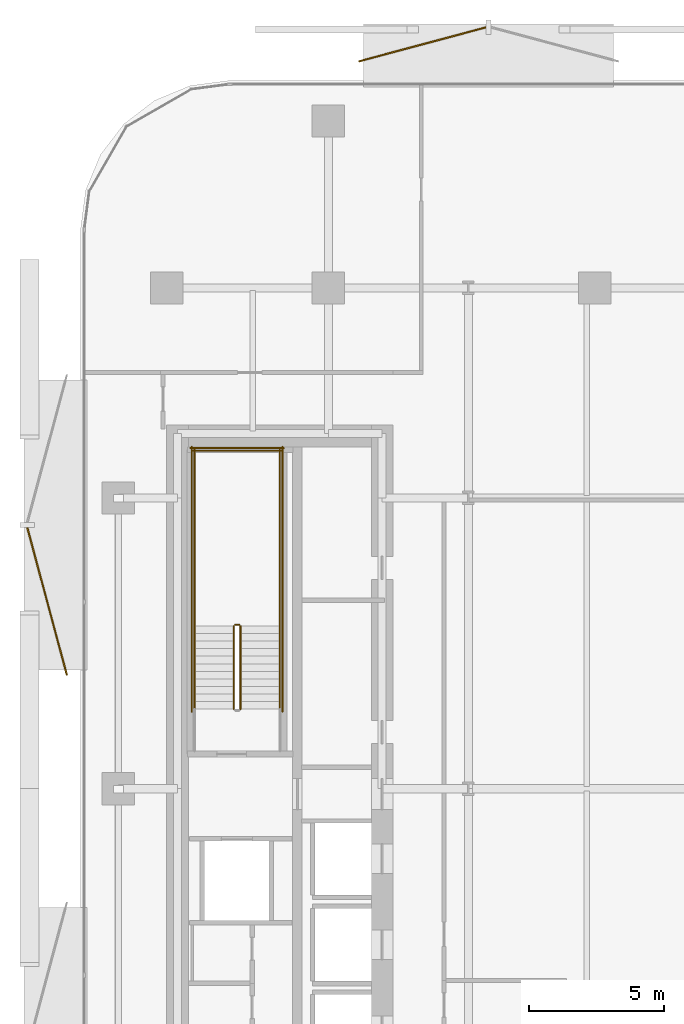
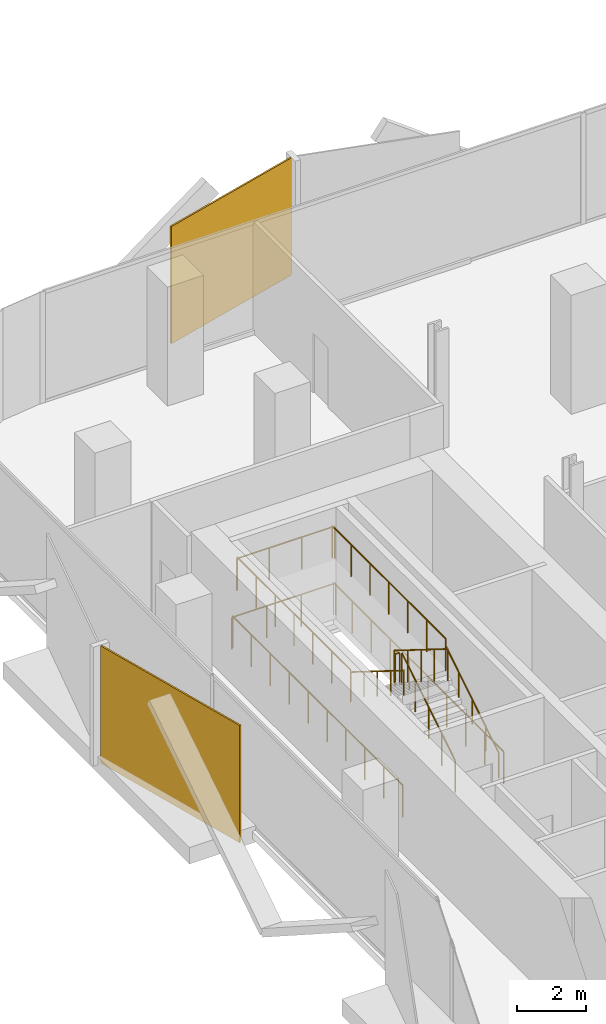
# One storey, part 14 of 15: 11 railings, 2 coverings.
"""IFC4 building model written with IfcOpenShell, lengths in metres."""

from ifc_helpers import new_model, si_unit, direction, frame, origin, origin_2d, place, context, subcontext, project, spatial, rectangle, circle, extrude, material, layer, layer_set, type_object, element, save


model = new_model("IFC4")

# Units and contexts
model_context = context("Model", 3, precision=1e-05, world=origin(), true_north=direction((0.0, 1.0)))
body_context = subcontext(model_context, "Body", "Model", "MODEL_VIEW")
ifc_project = project(units=[si_unit("LENGTHUNIT", "METRE"), si_unit("AREAUNIT", "SQUARE_METRE"), si_unit("VOLUMEUNIT", "CUBIC_METRE"), si_unit("PLANEANGLEUNIT", "RADIAN"), si_unit("MASSUNIT", "GRAM", prefix="KILO")], contexts=[model_context])

# Site, building, storey
site_placement = place(None, origin())
site = spatial("IfcSite", under=ifc_project, at=site_placement, CompositionType="ELEMENT")
building_placement = place(site_placement, origin())
building = spatial("IfcBuilding", under=site, at=building_placement, Name="Khairoan Windgate Tower", CompositionType="ELEMENT")
storey_placement = place(building_placement, frame((0.0, 0.0, 143.60009765625)))
storey = spatial("IfcBuildingStorey", under=building, at=storey_placement, Name="L33", CompositionType="ELEMENT", Elevation=143.60009765625)

# Coverings
ifc_material_1 = material(Name="Anodised Bronze Aluminium 6063-T6", Category="aluminium")
ifc_layer = layer(ifc_material_1, 0.054931640625, Name="Anodised Bronze Aluminium 6063-T6")
ifc_layer_set = layer_set([ifc_layer], Name="Anodised Bronze Aluminium 6063-T6")
covering_type = type_object("IfcCoveringType", Name="Perforated Bronze-Ceramic Folded Solar Screen Cladding BSC-1", PredefinedType="CLADDING", material=ifc_layer_set)
covering_1_placement = place(storey_placement, frame((-24.8447265625, 6.961669921875, -0.10009765625), z_axis=(0.0, 0.0, 1.0), x_axis=(-0.258819045103, 0.965925826289, 0.0)))
element("IfcCovering", 1, at=covering_1_placement, inside=storey, type_object=covering_type, Name="L33 Folded Bronze Solar Screen Facet 212L", PredefinedType="CLADDING", context=body_context, shape_type="SweptSolid", body=[
    extrude(rectangle(XDim=5.680908203125, YDim=0.054931640625, at=origin_2d()), origin(), (0.0, 0.0, 1.0), 4.139892578125),
])
covering_2_placement = place(storey_placement, frame((-10.90087890625, 27.646240234375, -0.10009765625), z_axis=(0.0, 0.0, 1.0), x_axis=(0.965925826289, 0.258819045103, 0.0)))
element("IfcCovering", 2, at=covering_2_placement, inside=storey, type_object=covering_type, Name="L33 Folded Bronze Solar Screen Facet 213L", PredefinedType="CLADDING", context=body_context, shape_type="SweptSolid", body=[
    extrude(rectangle(XDim=4.89794921875, YDim=0.054931640625, at=origin_2d()), origin(), (0.0, 0.0, 1.0), 4.139892578125),
])

# Railings
ifc_material_2 = material(Name="Anodised Bronze Aluminium 6063-T6", Category="aluminium")
railing_type_1 = type_object("IfcRailingType", Name="Stair Wall Handrail SHR-900", PredefinedType="HANDRAIL", material=ifc_material_2)
railing_1_placement = place(storey_placement, frame((-16.199951171875, 2.9599609375, 0.1748046875)))
element("IfcRailing", 3, at=railing_1_placement, inside=storey, type_object=railing_type_1, Name="L33 ST2 stair handrail 1", PredefinedType="HANDRAIL", context=body_context, shape_type="SweptSolid", body=[
    extrude(circle(Radius=0.02392578125, at=origin_2d()), frame((0.0, 0.0, 0.8759765625), z_axis=(0.0, 0.847998304005, 0.529998940003), x_axis=(-1.0, 0.0, 0.0)), (0.0, 0.0, 1.0), 3.632080078125),
    extrude(circle(Radius=0.02099609375, at=origin_2d()), origin(), (0.0, 0.0, 1.0), 0.851806640625),
    extrude(circle(Radius=0.02099609375, at=origin_2d()), frame((0.0, 0.77001953125, 0.481201171875)), (0.0, 0.0, 1.0), 0.851806640625),
    extrude(circle(Radius=0.02099609375, at=origin_2d()), frame((0.0, 1.5400390625, 0.96240234375)), (0.0, 0.0, 1.0), 0.851806640625),
    extrude(circle(Radius=0.02099609375, at=origin_2d()), frame((0.0, 2.31005859375, 1.44384765625)), (0.0, 0.0, 1.0), 0.851806640625),
    extrude(circle(Radius=0.02099609375, at=origin_2d()), frame((0.0, 3.080078125, 1.925048828125)), (0.0, 0.0, 1.0), 0.851806640625),
])
railing_2_placement = place(storey_placement, frame((-19.3701171875, 6.0400390625, 2.27490234375)))
element("IfcRailing", 4, at=railing_2_placement, inside=storey, type_object=railing_type_1, Name="L33 ST2 stair handrail 2", PredefinedType="HANDRAIL", context=body_context, shape_type="SweptSolid", body=[
    extrude(circle(Radius=0.02392578125, at=origin_2d()), frame((0.0, 0.0, 0.8759765625), z_axis=(0.0, -0.847998304005, 0.529998940003), x_axis=(1.0, 0.0, 0.0)), (0.0, 0.0, 1.0), 3.632080078125),
    extrude(circle(Radius=0.02099609375, at=origin_2d()), origin(), (0.0, 0.0, 1.0), 0.851806640625),
    extrude(circle(Radius=0.02099609375, at=origin_2d()), frame((0.0, -0.77001953125, 0.481201171875)), (0.0, 0.0, 1.0), 0.851806640625),
    extrude(circle(Radius=0.02099609375, at=origin_2d()), frame((0.0, -1.5400390625, 0.96240234375)), (0.0, 0.0, 1.0), 0.851806640625),
    extrude(circle(Radius=0.02099609375, at=origin_2d()), frame((0.0, -2.31005859375, 1.44384765625)), (0.0, 0.0, 1.0), 0.851806640625),
    extrude(circle(Radius=0.02099609375, at=origin_2d()), frame((0.0, -3.080078125, 1.925048828125)), (0.0, 0.0, 1.0), 0.851806640625),
])
ifc_material_3 = material(Name="Steel S355", Category="steel")
railing_type_2 = type_object("IfcRailingType", Name="Stairwell Safety Guardrail SGR-1150", PredefinedType="GUARDRAIL", material=ifc_material_3)
railing_3_placement = place(storey_placement, frame((-17.659912109375, 2.9599609375, 0.1748046875)))
element("IfcRailing", 5, at=railing_3_placement, inside=storey, type_object=railing_type_2, Name="L33 ST2 stair guard 1", PredefinedType="GUARDRAIL", context=body_context, shape_type="SweptSolid", body=[
    extrude(circle(Radius=0.02392578125, at=origin_2d()), frame((0.0, 0.0, 1.1259765625), z_axis=(0.0, 0.847998304005, 0.529998940003), x_axis=(-1.0, 0.0, 0.0)), (0.0, 0.0, 1.0), 3.632080078125),
    extrude(circle(Radius=0.02099609375, at=origin_2d()), origin(), (0.0, 0.0, 1.0), 1.101806640625),
    extrude(circle(Radius=0.02099609375, at=origin_2d()), frame((0.0, 0.77001953125, 0.481201171875)), (0.0, 0.0, 1.0), 1.101806640625),
    extrude(circle(Radius=0.02099609375, at=origin_2d()), frame((0.0, 1.5400390625, 0.96240234375)), (0.0, 0.0, 1.0), 1.101806640625),
    extrude(circle(Radius=0.02099609375, at=origin_2d()), frame((0.0, 2.31005859375, 1.44384765625)), (0.0, 0.0, 1.0), 1.101806640625),
    extrude(circle(Radius=0.02099609375, at=origin_2d()), frame((0.0, 3.080078125, 1.925048828125)), (0.0, 0.0, 1.0), 1.101806640625),
])
railing_4_placement = place(storey_placement, frame((-17.7099609375, 6.090087890625, 2.099853515625)))
element("IfcRailing", 6, at=railing_4_placement, inside=storey, type_object=railing_type_2, Name="L33 ST2 stair guard 2", PredefinedType="GUARDRAIL", context=body_context, shape_type="SweptSolid", body=[
    extrude(circle(Radius=0.02392578125, at=origin_2d()), frame((0.0, 0.0, 1.1259765625), z_axis=(-1.0, 0.0, 0.0), x_axis=(0.0, -1.0, 0.0)), (0.0, 0.0, 1.0), 0.150146484375),
    extrude(circle(Radius=0.02099609375, at=origin_2d()), origin(), (0.0, 0.0, 1.0), 1.101806640625),
    extrude(circle(Radius=0.02099609375, at=origin_2d()), frame((-0.150146484375, 0.0, 0.0)), (0.0, 0.0, 1.0), 1.101806640625),
])
for number, where, name in (
    (7, (-16.199951171875, 6.0400390625, 2.099853515625), "L33 ST2 stair guard 3"),
    (8, (-19.3701171875, 6.0400390625, 2.099853515625), "L33 ST2 stair guard 4"),
):
    element("IfcRailing", number, at=place(storey_placement, frame(where)), inside=storey, type_object=railing_type_2, Name=name, PredefinedType="GUARDRAIL", context=body_context, shape_type="SweptSolid", body=[
        extrude(circle(Radius=0.02392578125, at=origin_2d()), frame((0.0, 0.0, 1.1259765625), z_axis=(0.0, 1.0, 0.0), x_axis=(-1.0, 0.0, 0.0)), (0.0, 0.0, 1.0), 6.56005859375),
        extrude(circle(Radius=0.02099609375, at=origin_2d()), origin(), (0.0, 0.0, 1.0), 1.101806640625),
        extrude(circle(Radius=0.02099609375, at=origin_2d()), frame((0.0, 1.09326171875, 0.0)), (0.0, 0.0, 1.0), 1.101806640625),
        extrude(circle(Radius=0.02099609375, at=origin_2d()), frame((0.0, 2.186767578125, 0.0)), (0.0, 0.0, 1.0), 1.101806640625),
        extrude(circle(Radius=0.02099609375, at=origin_2d()), frame((0.0, 3.280029296875, 0.0)), (0.0, 0.0, 1.0), 1.101806640625),
        extrude(circle(Radius=0.02099609375, at=origin_2d()), frame((0.0, 4.373291015625, 0.0)), (0.0, 0.0, 1.0), 1.101806640625),
        extrude(circle(Radius=0.02099609375, at=origin_2d()), frame((0.0, 5.466796875, 0.0)), (0.0, 0.0, 1.0), 1.101806640625),
        extrude(circle(Radius=0.02099609375, at=origin_2d()), frame((0.0, 6.56005859375, 0.0)), (0.0, 0.0, 1.0), 1.101806640625),
    ])
railing_5_placement = place(storey_placement, frame((-16.14990234375, 12.550048828125, 2.099853515625)))
element("IfcRailing", 9, at=railing_5_placement, inside=storey, type_object=railing_type_2, Name="L33 ST2 stair guard 5", PredefinedType="GUARDRAIL", context=body_context, shape_type="SweptSolid", body=[
    extrude(circle(Radius=0.02392578125, at=origin_2d()), frame((0.0, 0.0, 1.1259765625), z_axis=(-1.0, 0.0, 0.0), x_axis=(0.0, -1.0, 0.0)), (0.0, 0.0, 1.0), 3.27001953125),
    extrude(circle(Radius=0.02099609375, at=origin_2d()), origin(), (0.0, 0.0, 1.0), 1.101806640625),
    extrude(circle(Radius=0.02099609375, at=origin_2d()), frame((-1.090087890625, 0.0, 0.0)), (0.0, 0.0, 1.0), 1.101806640625),
    extrude(circle(Radius=0.02099609375, at=origin_2d()), frame((-2.179931640625, 0.0, 0.0)), (0.0, 0.0, 1.0), 1.101806640625),
    extrude(circle(Radius=0.02099609375, at=origin_2d()), frame((-3.27001953125, 0.0, 0.0)), (0.0, 0.0, 1.0), 1.101806640625),
])
railing_6_placement = place(storey_placement, frame((-17.909912109375, 6.0400390625, 2.27490234375)))
element("IfcRailing", 10, at=railing_6_placement, inside=storey, type_object=railing_type_2, Name="L33 ST2 stair guard 6", PredefinedType="GUARDRAIL", context=body_context, shape_type="SweptSolid", body=[
    extrude(circle(Radius=0.02392578125, at=origin_2d()), frame((0.0, 0.0, 1.1259765625), z_axis=(0.0, -0.847998304005, 0.529998940003), x_axis=(1.0, 0.0, 0.0)), (0.0, 0.0, 1.0), 3.632080078125),
    extrude(circle(Radius=0.02099609375, at=origin_2d()), origin(), (0.0, 0.0, 1.0), 1.101806640625),
    extrude(circle(Radius=0.02099609375, at=origin_2d()), frame((0.0, -0.77001953125, 0.481201171875)), (0.0, 0.0, 1.0), 1.101806640625),
    extrude(circle(Radius=0.02099609375, at=origin_2d()), frame((0.0, -1.5400390625, 0.96240234375)), (0.0, 0.0, 1.0), 1.101806640625),
    extrude(circle(Radius=0.02099609375, at=origin_2d()), frame((0.0, -2.31005859375, 1.44384765625)), (0.0, 0.0, 1.0), 1.101806640625),
    extrude(circle(Radius=0.02099609375, at=origin_2d()), frame((0.0, -3.080078125, 1.925048828125)), (0.0, 0.0, 1.0), 1.101806640625),
])
for number, where, name in (
    (11, (-16.10009765625, 2.860107421875, 0.0), "L33 ST2 stair guard 10"),
    (12, (-19.469970703125, 2.860107421875, 0.0), "L33 ST2 stair guard 11"),
):
    element("IfcRailing", number, at=place(storey_placement, frame(where)), inside=storey, type_object=railing_type_2, Name=name, PredefinedType="GUARDRAIL", context=body_context, shape_type="SweptSolid", body=[
        extrude(circle(Radius=0.02392578125, at=origin_2d()), frame((0.0, 0.0, 1.1259765625), z_axis=(0.0, 1.0, 0.0), x_axis=(-1.0, 0.0, 0.0)), (0.0, 0.0, 1.0), 9.83984375),
        extrude(circle(Radius=0.02099609375, at=origin_2d()), origin(), (0.0, 0.0, 1.0), 1.101806640625),
        extrude(circle(Radius=0.02099609375, at=origin_2d()), frame((0.0, 1.09326171875, 0.0)), (0.0, 0.0, 1.0), 1.101806640625),
        extrude(circle(Radius=0.02099609375, at=origin_2d()), frame((0.0, 2.1865234375, 0.0)), (0.0, 0.0, 1.0), 1.101806640625),
        extrude(circle(Radius=0.02099609375, at=origin_2d()), frame((0.0, 3.280029296875, 0.0)), (0.0, 0.0, 1.0), 1.101806640625),
        extrude(circle(Radius=0.02099609375, at=origin_2d()), frame((0.0, 4.373291015625, 0.0)), (0.0, 0.0, 1.0), 1.101806640625),
        extrude(circle(Radius=0.02099609375, at=origin_2d()), frame((0.0, 5.466552734375, 0.0)), (0.0, 0.0, 1.0), 1.101806640625),
        extrude(circle(Radius=0.02099609375, at=origin_2d()), frame((0.0, 6.559814453125, 0.0)), (0.0, 0.0, 1.0), 1.101806640625),
        extrude(circle(Radius=0.02099609375, at=origin_2d()), frame((0.0, 7.6533203125, 0.0)), (0.0, 0.0, 1.0), 1.101806640625),
        extrude(circle(Radius=0.02099609375, at=origin_2d()), frame((0.0, 8.74658203125, 0.0)), (0.0, 0.0, 1.0), 1.101806640625),
        extrude(circle(Radius=0.02099609375, at=origin_2d()), frame((0.0, 9.83984375, 0.0)), (0.0, 0.0, 1.0), 1.101806640625),
    ])
railing_7_placement = place(storey_placement, frame((-16.050048828125, 12.64990234375, 0.0)))
element("IfcRailing", 13, at=railing_7_placement, inside=storey, type_object=railing_type_2, Name="L33 ST2 stair guard 12", PredefinedType="GUARDRAIL", context=body_context, shape_type="SweptSolid", body=[
    extrude(circle(Radius=0.02392578125, at=origin_2d()), frame((0.0, 0.0, 1.1259765625), z_axis=(-1.0, 0.0, 0.0), x_axis=(0.0, -1.0, 0.0)), (0.0, 0.0, 1.0), 3.469970703125),
    extrude(circle(Radius=0.02099609375, at=origin_2d()), origin(), (0.0, 0.0, 1.0), 1.101806640625),
    extrude(circle(Radius=0.02099609375, at=origin_2d()), frame((-1.15673828125, 0.0, 0.0)), (0.0, 0.0, 1.0), 1.101806640625),
    extrude(circle(Radius=0.02099609375, at=origin_2d()), frame((-2.313232421875, 0.0, 0.0)), (0.0, 0.0, 1.0), 1.101806640625),
    extrude(circle(Radius=0.02099609375, at=origin_2d()), frame((-3.469970703125, 0.0, 0.0)), (0.0, 0.0, 1.0), 1.101806640625),
])

save(model, "model.ifc")
